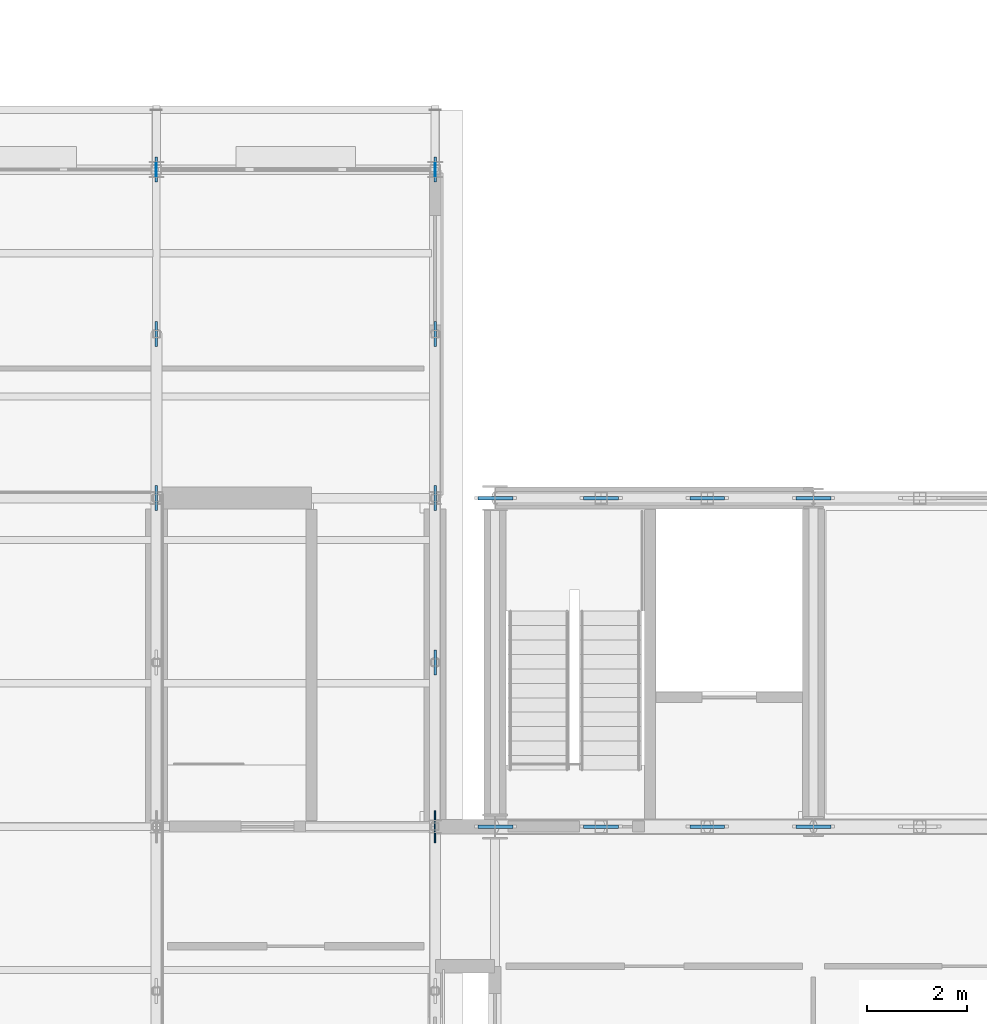
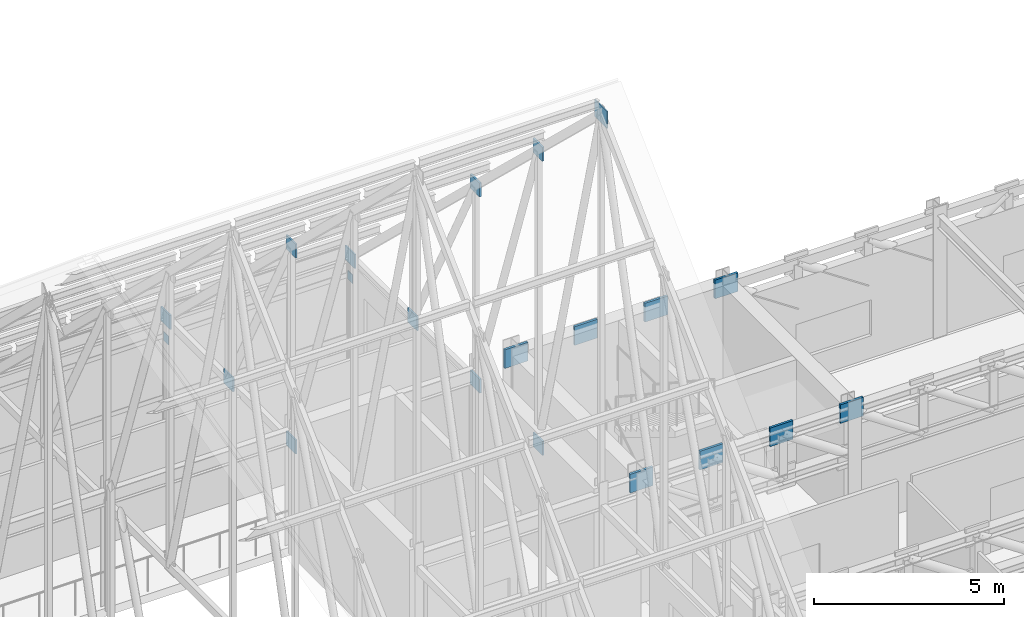
# One storey, part 112 of 144: 21 plates.
"""IFC4 building model written with IfcOpenShell, lengths in metres."""

from ifc_helpers import new_model, si_unit, direction, frame, origin, origin_2d, place, context, subcontext, project, spatial, rectangle, extrude, material, layer, layer_set, type_object, element, save


model = new_model("IFC4")

# Units and contexts
model_context = context("Model", 3, precision=1e-05, world=origin(), true_north=direction((0.0, 1.0)))
body_context = subcontext(model_context, "Body", "Model", "MODEL_VIEW")
ifc_project = project(units=[si_unit("LENGTHUNIT", "METRE"), si_unit("AREAUNIT", "SQUARE_METRE"), si_unit("VOLUMEUNIT", "CUBIC_METRE"), si_unit("PLANEANGLEUNIT", "RADIAN"), si_unit("MASSUNIT", "GRAM", prefix="KILO")], contexts=[model_context])

# Site, building, storey
site_placement = place(None, origin())
site = spatial("IfcSite", under=ifc_project, at=site_placement, CompositionType="ELEMENT")
building_placement = place(site_placement, origin())
building = spatial("IfcBuilding", under=site, at=building_placement, Name="Trelmorton Wharf Fire Station", CompositionType="ELEMENT")
storey_placement = place(building_placement, frame((0.0, 0.0, 5.39990234375)))
storey = spatial("IfcBuildingStorey", under=building, at=storey_placement, Name="L01", CompositionType="ELEMENT", Elevation=5.39990234375)

# Plates
ifc_material = material(Name="Steel Grade 350", Category="steel")
ifc_layer_1 = layer(ifc_material, 0.02001953125)
ifc_layer_set_1 = layer_set([ifc_layer_1], Name="Steel Grade 350")
plate_type_1 = type_object("IfcPlateType", Name="PL_ENDCAP_20", PredefinedType="SHEET", material=ifc_layer_set_1)
for number, where, z_axis, x_axis, name in (
    (1, (51.199951171875, 34.199951171875, 2.56005859375), (0.0, 0.0, 1.0), (1.0, 0.0, 0.0), "PL-EC-0040"),
    (2, (56.800048828125, 34.199951171875, 2.56005859375), (0.0, 0.0, 1.0), (1.0, 0.0, 0.0), "PL-EC-0044"),
):
    element("IfcPlate", number, at=place(storey_placement, frame(where, z_axis=z_axis, x_axis=x_axis)), inside=storey, type_object=plate_type_1, Name=name, PredefinedType="SHEET", context=body_context, shape_type="SweptSolid", body=[
        extrude(rectangle(XDim=0.02001953125, YDim=0.260009765625, at=origin_2d()), origin(), (0.0, 0.0, 1.0), 0.280029296875),
    ])
ifc_layer_2 = layer(ifc_material, 0.070068359375)
ifc_layer_set_2 = layer_set([ifc_layer_2], Name="Steel Grade 350")
plate_type_2 = type_object("IfcPlateType", Name="PL_GUSSET_KTN2", PredefinedType="USERDEFINED", material=ifc_layer_set_2)
for number, where, z_axis, x_axis, name in (
    (3, (58.011962890625, 21.0, 3.47998046875), (0.0, 0.0, 1.0), (1.0, 0.0, 0.0), "PL-KTN-0054"),
    (4, (60.13330078125, 21.0, 3.47998046875), (0.0, 0.0, 1.0), (1.0, 0.0, 0.0), "PL-KTN-0056"),
    (5, (62.2666015625, 21.0, 3.47998046875), (0.0, 0.0, 1.0), (1.0, 0.0, 0.0), "PL-KTN-0058"),
    (6, (64.39990234375, 21.0, 3.47998046875), (0.0, 0.0, 1.0), (1.0, 0.0, 0.0), "PL-KTN-0060"),
    (7, (58.011962890625, 27.60009765625, 3.47998046875), (0.0, 0.0, 1.0), (1.0, 0.0, 0.0), "PL-KTN-0080"),
    (8, (60.13330078125, 27.60009765625, 3.47998046875), (0.0, 0.0, 1.0), (1.0, 0.0, 0.0), "PL-KTN-0082"),
    (9, (62.2666015625, 27.60009765625, 3.47998046875), (0.0, 0.0, 1.0), (1.0, 0.0, 0.0), "PL-KTN-0084"),
    (10, (64.39990234375, 27.60009765625, 3.47998046875), (0.0, 0.0, 1.0), (1.0, 0.0, 0.0), "PL-KTN-0086"),
):
    element("IfcPlate", number, at=place(storey_placement, frame(where, z_axis=z_axis, x_axis=x_axis)), inside=storey, type_object=plate_type_2, Name=name, ObjectType="GUSSET PLATE", PredefinedType="USERDEFINED", context=body_context, shape_type="SweptSolid", body=[
        extrude(rectangle(XDim=0.699951171875, YDim=0.070068359375, at=origin_2d()), origin(), (0.0, 0.0, 1.0), 0.60009765625),
    ])
ifc_layer_3 = layer(ifc_material, 0.030029296875)
ifc_layer_set_3 = layer_set([ifc_layer_3], Name="Steel Grade 350")
plate_type_3 = type_object("IfcPlateType", Name="PL_GUSSET_TN1", PredefinedType="USERDEFINED", material=ifc_layer_set_3)
plate_placement = place(storey_placement, frame((56.800048828125, 21.0, 15.6767578125), z_axis=(0.0, 0.0, 1.0), x_axis=(1.0, 0.0, 0.0)))
element("IfcPlate", 11, at=plate_placement, inside=storey, type_object=plate_type_3, Name="PL-TN-0237", ObjectType="GUSSET PLATE", PredefinedType="USERDEFINED", context=body_context, shape_type="SweptSolid", body=[
    extrude(rectangle(XDim=0.030029296875, YDim=0.64990234375, at=origin_2d()), origin(), (0.0, 0.0, 1.0), 0.550048828125),
])
ifc_layer_4 = layer(ifc_material, 0.050048828125)
ifc_layer_set_4 = layer_set([ifc_layer_4], Name="Steel Grade 350")
plate_type_4 = type_object("IfcPlateType", Name="PL_GUSSET_TN2", PredefinedType="USERDEFINED", material=ifc_layer_set_4)
for number, where, z_axis, x_axis, name in (
    (12, (51.199951171875, 34.199951171875, 3.126953125), (0.0, 0.0, 1.0), (1.0, 0.0, 0.0), "PL-TN-0223"),
    (13, (51.199951171875, 30.89990234375, 3.126953125), (0.0, 0.0, 1.0), (1.0, 0.0, 0.0), "PL-TN-0230"),
    (14, (51.199951171875, 27.60009765625, 9.4267578125), (0.0, 0.0, 1.0), (1.0, 0.0, 0.0), "PL-TN-0231"),
    (15, (51.199951171875, 27.60009765625, 3.126953125), (0.0, 0.0, 1.0), (1.0, 0.0, 0.0), "PL-TN-0232"),
    (16, (56.800048828125, 34.199951171875, 3.126953125), (0.0, 0.0, 1.0), (1.0, 0.0, 0.0), "PL-TN-0236"),
    (17, (56.800048828125, 30.89990234375, 3.126953125), (0.0, 0.0, 1.0), (1.0, 0.0, 0.0), "PL-TN-0243"),
    (18, (56.800048828125, 27.60009765625, 9.4267578125), (0.0, 0.0, 1.0), (1.0, 0.0, 0.0), "PL-TN-0244"),
    (19, (56.800048828125, 27.60009765625, 3.126953125), (0.0, 0.0, 1.0), (1.0, 0.0, 0.0), "PL-TN-0245"),
    (20, (56.800048828125, 24.300048828125, 12.5771484375), (0.0, 0.0, 1.0), (1.0, 0.0, 0.0), "PL-TN-0246"),
    (21, (56.800048828125, 24.300048828125, 3.126953125), (0.0, 0.0, 1.0), (1.0, 0.0, 0.0), "PL-TN-0247"),
):
    element("IfcPlate", number, at=place(storey_placement, frame(where, z_axis=z_axis, x_axis=x_axis)), inside=storey, type_object=plate_type_4, Name=name, ObjectType="GUSSET PLATE", PredefinedType="USERDEFINED", context=body_context, shape_type="SweptSolid", body=[
        extrude(rectangle(XDim=0.050048828125, YDim=0.5, at=origin_2d()), origin(), (0.0, 0.0, 1.0), 0.449951171875),
    ])

save(model, "model.ifc")
